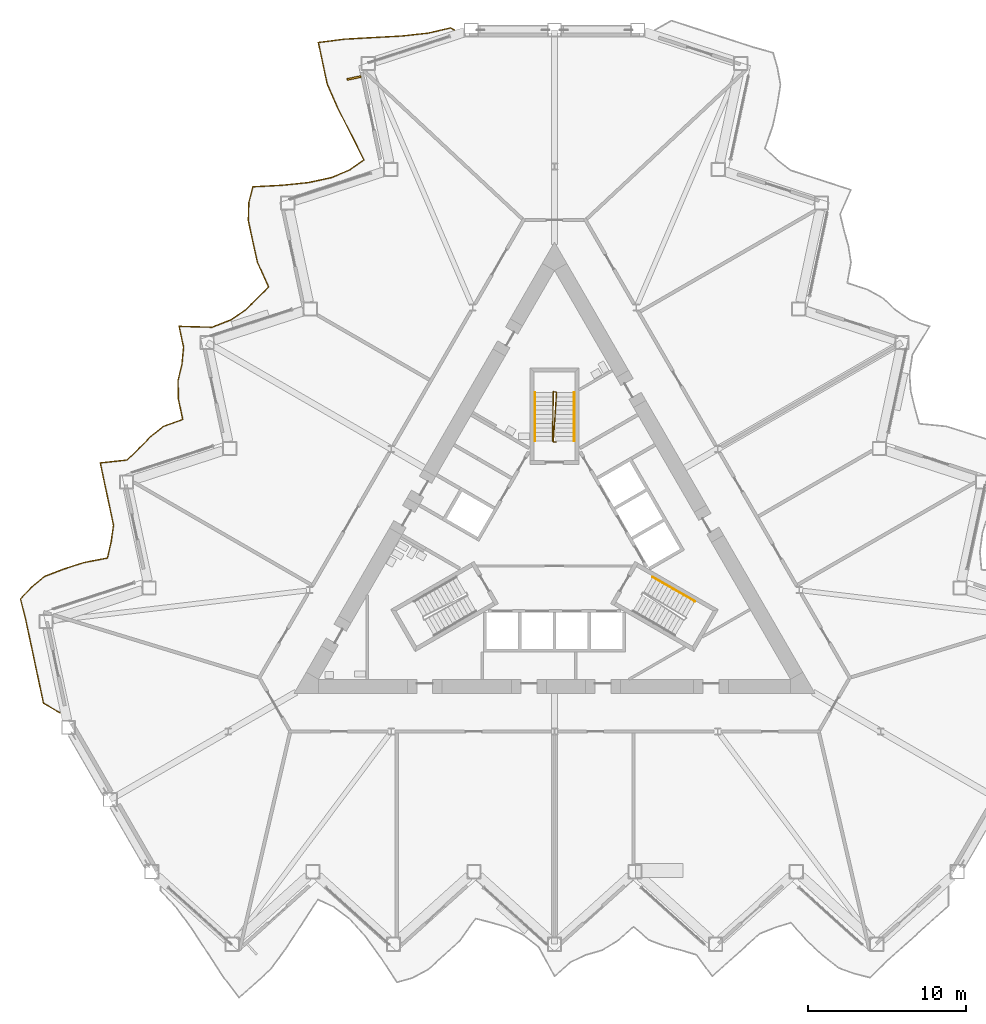
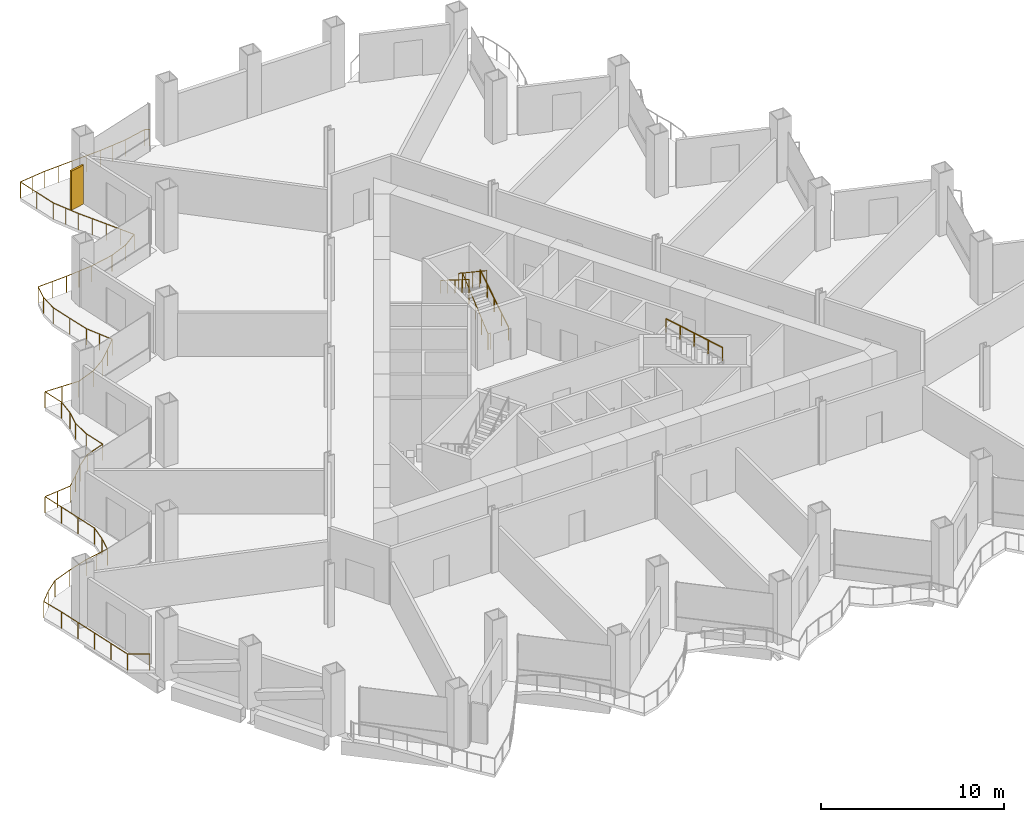
# One storey, part 18 of 21: 5 railings, 1 shading device.
"""IFC4 building model written with IfcOpenShell, lengths in metres."""

from ifc_helpers import new_model, si_unit, direction, frame, origin, origin_2d, place, context, subcontext, project, spatial, rectangle, circle, extrude, material, layer, layer_set, type_object, element, save


model = new_model("IFC4")

# Units and contexts
model_context = context("Model", 3, precision=1e-05, world=origin(), true_north=direction((0.0, 1.0)))
body_context = subcontext(model_context, "Body", "Model", "MODEL_VIEW")
ifc_project = project(units=[si_unit("LENGTHUNIT", "METRE"), si_unit("AREAUNIT", "SQUARE_METRE"), si_unit("VOLUMEUNIT", "CUBIC_METRE"), si_unit("PLANEANGLEUNIT", "RADIAN"), si_unit("MASSUNIT", "GRAM", prefix="KILO")], contexts=[model_context])

# Site, building, storey
site_placement = place(None, origin())
site = spatial("IfcSite", under=ifc_project, at=site_placement, CompositionType="ELEMENT")
building_placement = place(site_placement, origin())
building = spatial("IfcBuilding", under=site, at=building_placement, Name="Cormorant Prow Tower", CompositionType="ELEMENT")
storey_placement = place(building_placement, frame((0.0, 0.0, 99.60009765625)))
storey = spatial("IfcBuildingStorey", under=building, at=storey_placement, Name="L20", CompositionType="ELEMENT", Elevation=99.60009765625)

# Railings
ifc_material_1 = material(Name="Aluminium 6063-T6", Category="aluminium")
railing_type_1 = type_object("IfcRailingType", Name="Balcony guard 1100", PredefinedType="GUARDRAIL", material=ifc_material_1)
railing_1_placement = place(storey_placement, frame((-6.34130859375, 32.486328125, 0.0)))
element("IfcRailing", 1, at=railing_1_placement, inside=storey, type_object=railing_type_1, Name="Balcony guard WNW", PredefinedType="GUARDRAIL", context=body_context, shape_type="SweptSolid", body=[
    extrude(circle(Radius=0.02392578125, at=origin_2d()), frame((0.0, 0.0, 1.076171875), z_axis=(-0.866065156741, 0.499931139538, 0.0), x_axis=(-0.499931139538, -0.866065156741, 0.0)), (0.0, 0.0, 1.0), 0.27001953125),
    extrude(circle(Radius=0.02392578125, at=origin_2d()), frame((-0.23388671875, 0.135009765625, 1.076171875), z_axis=(-0.974208031285, -0.225651748895, 0.0), x_axis=(0.225651748895, -0.974208031285, 0.0)), (0.0, 0.0, 1.0), 1.462890625),
    extrude(circle(Radius=0.02392578125, at=origin_2d()), frame((-1.658935546875, -0.195068359375, 1.076171875), z_axis=(-0.994093392197, -0.108528003713, 0.0), x_axis=(0.108528003713, -0.994093392197, 0.0)), (0.0, 0.0, 1.0), 1.689453125),
    extrude(circle(Radius=0.02392578125, at=origin_2d()), frame((-3.33837890625, -0.37841796875, 1.076171875), z_axis=(-0.998513329159, -0.054508086473, 0.0), x_axis=(0.054508086473, -0.998513329159, 0.0)), (0.0, 0.0, 1.0), 1.827392578125),
    extrude(circle(Radius=0.02392578125, at=origin_2d()), frame((-5.1630859375, -0.47802734375, 1.076171875), z_axis=(-0.998448800774, -0.055677573877, 0.0), x_axis=(0.055677573877, -0.998448800774, 0.0)), (0.0, 0.0, 1.0), 1.82421875),
    extrude(circle(Radius=0.02392578125, at=origin_2d()), frame((-6.984375, -0.57958984375, 1.076171875), z_axis=(-0.991701104637, -0.128564843805, 0.0), x_axis=(0.128564843805, -0.991701104637, 0.0)), (0.0, 0.0, 1.0), 1.64453125),
    extrude(circle(Radius=0.02392578125, at=origin_2d()), frame((-8.615234375, -0.791015625, 1.076171875), z_axis=(0.208052164707, -0.978117731544, 0.0), x_axis=(0.978117731544, 0.208052164707, 0.0)), (0.0, 0.0, 1.0), 1.343505859375),
    extrude(circle(Radius=0.02392578125, at=origin_2d()), frame((-8.335693359375, -2.105224609375, 1.076171875), z_axis=(0.207841372786, -0.978162544651, 0.0), x_axis=(0.978162544651, 0.207841372786, 0.0)), (0.0, 0.0, 1.0), 1.34375),
    extrude(circle(Radius=0.02392578125, at=origin_2d()), frame((-8.056396484375, -3.419677734375, 1.076171875), z_axis=(0.402078851304, -0.915605044402, 0.0), x_axis=(0.915605044402, 0.402078851304, 0.0)), (0.0, 0.0, 1.0), 1.686767578125),
    extrude(circle(Radius=0.02392578125, at=origin_2d()), frame((-7.378173828125, -4.964111328125, 1.076171875), z_axis=(0.453072437858, -0.891473704634, 0.0), x_axis=(0.891473704634, 0.453072437858, 0.0)), (0.0, 0.0, 1.0), 1.83056640625),
    extrude(circle(Radius=0.02392578125, at=origin_2d()), frame((-6.548828125, -6.595947265625, 1.076171875), z_axis=(0.449733437258, -0.893162826931, 0.0), x_axis=(0.893162826931, 0.449733437258, 0.0)), (0.0, 0.0, 1.0), 1.8203125),
    extrude(circle(Radius=0.02392578125, at=origin_2d()), frame((-5.730224609375, -8.2216796875, 1.076171875), z_axis=(-0.815561274573, -0.57867072452, 0.0), x_axis=(0.57867072452, -0.815561274573, 0.0)), (0.0, 0.0, 1.0), 1.0986328125),
    extrude(circle(Radius=0.02392578125, at=origin_2d()), frame((-6.626220703125, -8.857421875, 1.076171875), z_axis=(-0.922344268142, -0.386369060648, 0.0), x_axis=(0.386369060648, -0.922344268142, 0.0)), (0.0, 0.0, 1.0), 1.2548828125),
    extrude(circle(Radius=0.02392578125, at=origin_2d()), frame((-7.78369140625, -9.34228515625, 1.076171875), z_axis=(-0.977257889972, -0.212054277219, 0.0), x_axis=(0.212054277219, -0.977257889972, 0.0)), (0.0, 0.0, 1.0), 1.485107421875),
    extrude(circle(Radius=0.02392578125, at=origin_2d()), frame((-9.235107421875, -9.6572265625, 1.076171875), z_axis=(-0.994890284036, -0.100961986565, 0.0), x_axis=(0.100961986565, -0.994890284036, 0.0)), (0.0, 0.0, 1.0), 1.707275390625),
    extrude(circle(Radius=0.02392578125, at=origin_2d()), frame((-10.93359375, -9.82958984375, 1.076171875), z_axis=(-0.998629576074, -0.052335167809, 0.0), x_axis=(0.052335167809, -0.998629576074, 0.0)), (0.0, 0.0, 1.0), 1.833251953125),
    extrude(circle(Radius=0.02392578125, at=origin_2d()), frame((-12.764404296875, -9.925537109375, 1.076171875), z_axis=(-0.246410019417, -0.969165673314, 0.0), x_axis=(0.969165673314, -0.246410019417, 0.0)), (0.0, 0.0, 1.0), 1.037353515625),
    extrude(circle(Radius=0.02392578125, at=origin_2d()), frame((-13.02001953125, -10.930908203125, 1.076171875), z_axis=(-0.025561048195, -0.999673263029, 0.0), x_axis=(0.999673263029, -0.025561048195, 0.0)), (0.0, 0.0, 1.0), 1.13671875),
    extrude(circle(Radius=0.02392578125, at=origin_2d()), frame((-13.049072265625, -12.067138671875, 1.076171875), z_axis=(0.207878315131, -0.97815469436, 0.0), x_axis=(0.97815469436, 0.207878315131, 0.0)), (0.0, 0.0, 1.0), 1.343505859375),
    extrude(circle(Radius=0.02392578125, at=origin_2d()), frame((-12.769775390625, -13.38134765625, 1.076171875), z_axis=(0.217978561128, -0.975953557752, 0.0), x_axis=(0.975953557752, 0.217978561128, 0.0)), (0.0, 0.0, 1.0), 1.3564453125),
    extrude(circle(Radius=0.02392578125, at=origin_2d()), frame((-12.47412109375, -14.705078125, 1.076171875), z_axis=(0.413256064466, -0.910614861059, 0.0), x_axis=(0.910614861059, 0.413256064466, 0.0)), (0.0, 0.0, 1.0), 1.715576171875),
    extrude(circle(Radius=0.02392578125, at=origin_2d()), frame((-11.76513671875, -16.267333984375, 1.076171875), z_axis=(-0.700447621044, -0.713703811236, 0.0), x_axis=(0.713703811236, -0.700447621044, 0.0)), (0.0, 0.0, 1.0), 1.03125),
    extrude(circle(Radius=0.02392578125, at=origin_2d()), frame((-12.487548828125, -17.00341796875, 1.076171875), z_axis=(-0.719336669645, -0.694661612372, 0.0), x_axis=(0.694661612372, -0.719336669645, 0.0)), (0.0, 0.0, 1.0), 1.038818359375),
    extrude(circle(Radius=0.02392578125, at=origin_2d()), frame((-13.23486328125, -17.72509765625, 1.076171875), z_axis=(-0.826865061735, -0.562400364227, 0.0), x_axis=(0.562400364227, -0.826865061735, 0.0)), (0.0, 0.0, 1.0), 1.108642578125),
    extrude(circle(Radius=0.02392578125, at=origin_2d()), frame((-14.151611328125, -18.3486328125, 1.076171875), z_axis=(-0.92968769206, -0.368348741319, 0.0), x_axis=(0.368348741319, -0.92968769206, 0.0)), (0.0, 0.0, 1.0), 1.27392578125),
    extrude(circle(Radius=0.02392578125, at=origin_2d()), frame((-15.3359375, -18.81787109375, 1.076171875), z_axis=(-0.999634884856, 0.027020306803, 0.0), x_axis=(-0.027020306803, -0.999634884856, 0.0)), (0.0, 0.0, 1.0), 2.09619140625),
    extrude(circle(Radius=0.02392578125, at=origin_2d()), frame((-17.431396484375, -18.76123046875, 1.076171875), z_axis=(0.207878315131, -0.97815469436, 0.0), x_axis=(0.97815469436, 0.207878315131, 0.0)), (0.0, 0.0, 1.0), 1.343505859375),
    extrude(circle(Radius=0.02392578125, at=origin_2d()), frame((-17.152099609375, -20.075439453125, 1.076171875), z_axis=(-0.089635498622, -0.995974636919, 0.0), x_axis=(0.995974636919, -0.089635498622, 0.0)), (0.0, 0.0, 1.0), 1.100341796875),
    extrude(circle(Radius=0.02392578125, at=origin_2d()), frame((-17.250732421875, -21.17138671875, 1.076171875), z_axis=(-0.23678870111, -0.971561172046, 0.0), x_axis=(0.971561172046, -0.23678870111, 0.0)), (0.0, 0.0, 1.0), 1.040283203125),
    extrude(circle(Radius=0.02392578125, at=origin_2d()), frame((-17.4970703125, -22.18212890625, 1.076171875), z_axis=(0.011984000586, -0.999928189287, 0.0), x_axis=(0.999928189287, 0.011984000586, 0.0)), (0.0, 0.0, 1.0), 1.1611328125),
    extrude(circle(Radius=0.02392578125, at=origin_2d()), frame((-17.483154296875, -23.34326171875, 1.076171875), z_axis=(0.208015194261, -0.978125594674, 0.0), x_axis=(0.978125594674, 0.208015194261, 0.0)), (0.0, 0.0, 1.0), 1.34375),
    extrude(circle(Radius=0.02392578125, at=origin_2d()), frame((-17.20361328125, -24.65771484375, 1.076171875), z_axis=(-0.941072859888, -0.338203891733, 0.0), x_axis=(0.338203891733, -0.941072859888, 0.0)), (0.0, 0.0, 1.0), 1.30810546875),
    extrude(circle(Radius=0.02392578125, at=origin_2d()), frame((-18.4345703125, -25.10009765625, 1.076171875), z_axis=(-0.777090675127, -0.629388657851, 0.0), x_axis=(0.629388657851, -0.777090675127, 0.0)), (0.0, 0.0, 1.0), 1.0693359375),
    extrude(circle(Radius=0.02392578125, at=origin_2d()), frame((-19.265625, -25.773193359375, 1.076171875), z_axis=(-0.69708177797, -0.71699162814, 0.0), x_axis=(0.71699162814, -0.69708177797, 0.0)), (0.0, 0.0, 1.0), 1.030029296875),
    extrude(circle(Radius=0.02392578125, at=origin_2d()), frame((-19.983642578125, -26.51171875, 1.076171875), z_axis=(-0.72674021298, -0.686912412785, 0.0), x_axis=(0.686912412785, -0.72674021298, 0.0)), (0.0, 0.0, 1.0), 1.0419921875),
    extrude(circle(Radius=0.02392578125, at=origin_2d()), frame((-20.740966796875, -27.2275390625, 1.076171875), z_axis=(-0.994257752133, -0.107011785913, 0.0), x_axis=(0.107011785913, -0.994257752133, 0.0)), (0.0, 0.0, 1.0), 1.69287109375),
    extrude(circle(Radius=0.02392578125, at=origin_2d()), frame((-22.424072265625, -27.40869140625, 1.076171875), z_axis=(0.207841372786, -0.978162544651, 0.0), x_axis=(0.978162544651, 0.207841372786, 0.0)), (0.0, 0.0, 1.0), 1.34375),
    extrude(circle(Radius=0.02392578125, at=origin_2d()), frame((-22.144775390625, -28.72314453125, 1.076171875), z_axis=(0.207878315131, -0.97815469436, 0.0), x_axis=(0.97815469436, 0.207878315131, 0.0)), (0.0, 0.0, 1.0), 1.343505859375),
    extrude(circle(Radius=0.02392578125, at=origin_2d()), frame((-21.865478515625, -30.037353515625, 1.076171875), z_axis=(0.208052164707, -0.978117731544, 0.0), x_axis=(0.978117731544, 0.208052164707, 0.0)), (0.0, 0.0, 1.0), 1.343505859375),
    extrude(circle(Radius=0.02392578125, at=origin_2d()), frame((-21.5859375, -31.3515625, 1.076171875), z_axis=(-0.140373577636, -0.990098610595, 0.0), x_axis=(0.990098610595, -0.140373577636, 0.0)), (0.0, 0.0, 1.0), 1.07666015625),
    extrude(circle(Radius=0.02392578125, at=origin_2d()), frame((-21.737060546875, -32.41748046875, 1.076171875), z_axis=(-0.225713549711, -0.974193714554, 0.0), x_axis=(0.974193714554, -0.225713549711, 0.0)), (0.0, 0.0, 1.0), 1.043701171875),
    extrude(circle(Radius=0.02392578125, at=origin_2d()), frame((-21.97265625, -33.434326171875, 1.076171875), z_axis=(-0.982327382029, -0.18717081641, 0.0), x_axis=(0.18717081641, -0.982327382029, 0.0)), (0.0, 0.0, 1.0), 1.52880859375),
    extrude(circle(Radius=0.02392578125, at=origin_2d()), frame((-23.474365234375, -33.720458984375, 1.076171875), z_axis=(-0.951036739297, -0.309077855091, 0.0), x_axis=(0.309077855091, -0.951036739297, 0.0)), (0.0, 0.0, 1.0), 1.343505859375),
    extrude(circle(Radius=0.02392578125, at=origin_2d()), frame((-24.752197265625, -34.1357421875, 1.076171875), z_axis=(-0.933237727243, -0.359259438916, 0.0), x_axis=(0.359259438916, -0.933237727243, 0.0)), (0.0, 0.0, 1.0), 1.28369140625),
    extrude(circle(Radius=0.02392578125, at=origin_2d()), frame((-25.9501953125, -34.596923828125, 1.076171875), z_axis=(-0.766505200565, -0.642238100323, 0.0), x_axis=(0.642238100323, -0.766505200565, 0.0)), (0.0, 0.0, 1.0), 1.06298828125),
    extrude(circle(Radius=0.02392578125, at=origin_2d()), frame((-26.764892578125, -35.279541015625, 1.076171875), z_axis=(-0.694784986374, -0.719217507233, 0.0), x_axis=(0.719217507233, -0.694784986374, 0.0)), (0.0, 0.0, 1.0), 1.029296875),
    extrude(circle(Radius=0.02392578125, at=origin_2d()), frame((-27.47998046875, -36.019775390625, 1.076171875), z_axis=(0.245790720353, -0.969322919253, 0.0), x_axis=(0.969322919253, 0.245790720353, 0.0)), (0.0, 0.0, 1.0), 1.3935546875),
    extrude(circle(Radius=0.02392578125, at=origin_2d()), frame((-27.137451171875, -37.37060546875, 1.076171875), z_axis=(0.208052164707, -0.978117731544, 0.0), x_axis=(0.978117731544, 0.208052164707, 0.0)), (0.0, 0.0, 1.0), 1.343505859375),
    extrude(circle(Radius=0.02392578125, at=origin_2d()), frame((-26.85791015625, -38.684814453125, 1.076171875), z_axis=(0.207841372786, -0.978162544651, 0.0), x_axis=(0.978162544651, 0.207841372786, 0.0)), (0.0, 0.0, 1.0), 1.34375),
    extrude(circle(Radius=0.02392578125, at=origin_2d()), frame((-26.57861328125, -39.999267578125, 1.076171875), z_axis=(0.207878315131, -0.97815469436, 0.0), x_axis=(0.97815469436, 0.207878315131, 0.0)), (0.0, 0.0, 1.0), 1.343505859375),
    extrude(circle(Radius=0.02392578125, at=origin_2d()), frame((-26.29931640625, -41.3134765625, 1.076171875), z_axis=(0.207841372786, -0.978162544651, 0.0), x_axis=(0.978162544651, 0.207841372786, 0.0)), (0.0, 0.0, 1.0), 1.34375),
    extrude(circle(Radius=0.02392578125, at=origin_2d()), frame((-26.02001953125, -42.6279296875, 1.076171875), z_axis=(0.866092288191, -0.499884134912, 0.0), x_axis=(0.499884134912, 0.866092288191, 0.0)), (0.0, 0.0, 1.0), 1.219970703125),
    extrude(circle(Radius=0.02099609375, at=origin_2d()), origin(), (0.0, 0.0, 1.0), 1.052001953125),
    extrude(circle(Radius=0.02099609375, at=origin_2d()), frame((-0.23388671875, 0.135009765625, 0.0)), (0.0, 0.0, 1.0), 1.052001953125),
    extrude(circle(Radius=0.02099609375, at=origin_2d()), frame((-1.658935546875, -0.195068359375, 0.0)), (0.0, 0.0, 1.0), 1.052001953125),
    extrude(circle(Radius=0.02099609375, at=origin_2d()), frame((-2.49853515625, -0.28662109375, 0.0)), (0.0, 0.0, 1.0), 1.052001953125),
    extrude(circle(Radius=0.02099609375, at=origin_2d()), frame((-3.33837890625, -0.37841796875, 0.0)), (0.0, 0.0, 1.0), 1.052001953125),
    extrude(circle(Radius=0.02099609375, at=origin_2d()), frame((-4.250732421875, -0.42822265625, 0.0)), (0.0, 0.0, 1.0), 1.052001953125),
    extrude(circle(Radius=0.02099609375, at=origin_2d()), frame((-5.1630859375, -0.47802734375, 0.0)), (0.0, 0.0, 1.0), 1.052001953125),
    extrude(circle(Radius=0.02099609375, at=origin_2d()), frame((-6.07373046875, -0.52880859375, 0.0)), (0.0, 0.0, 1.0), 1.052001953125),
    extrude(circle(Radius=0.02099609375, at=origin_2d()), frame((-6.984375, -0.57958984375, 0.0)), (0.0, 0.0, 1.0), 1.052001953125),
    extrude(circle(Radius=0.02099609375, at=origin_2d()), frame((-7.7998046875, -0.685302734375, 0.0)), (0.0, 0.0, 1.0), 1.052001953125),
    extrude(circle(Radius=0.02099609375, at=origin_2d()), frame((-8.615234375, -0.791015625, 0.0)), (0.0, 0.0, 1.0), 1.052001953125),
    extrude(circle(Radius=0.02099609375, at=origin_2d()), frame((-8.335693359375, -2.105224609375, 0.0)), (0.0, 0.0, 1.0), 1.052001953125),
    extrude(circle(Radius=0.02099609375, at=origin_2d()), frame((-8.056396484375, -3.419677734375, 0.0)), (0.0, 0.0, 1.0), 1.052001953125),
    extrude(circle(Radius=0.02099609375, at=origin_2d()), frame((-7.71728515625, -4.19189453125, 0.0)), (0.0, 0.0, 1.0), 1.052001953125),
    extrude(circle(Radius=0.02099609375, at=origin_2d()), frame((-7.378173828125, -4.964111328125, 0.0)), (0.0, 0.0, 1.0), 1.052001953125),
    extrude(circle(Radius=0.02099609375, at=origin_2d()), frame((-6.96337890625, -5.780029296875, 0.0)), (0.0, 0.0, 1.0), 1.052001953125),
    extrude(circle(Radius=0.02099609375, at=origin_2d()), frame((-6.548828125, -6.595947265625, 0.0)), (0.0, 0.0, 1.0), 1.052001953125),
    extrude(circle(Radius=0.02099609375, at=origin_2d()), frame((-6.1396484375, -7.40869140625, 0.0)), (0.0, 0.0, 1.0), 1.052001953125),
    extrude(circle(Radius=0.02099609375, at=origin_2d()), frame((-5.730224609375, -8.2216796875, 0.0)), (0.0, 0.0, 1.0), 1.052001953125),
    extrude(circle(Radius=0.02099609375, at=origin_2d()), frame((-6.626220703125, -8.857421875, 0.0)), (0.0, 0.0, 1.0), 1.052001953125),
    extrude(circle(Radius=0.02099609375, at=origin_2d()), frame((-7.78369140625, -9.34228515625, 0.0)), (0.0, 0.0, 1.0), 1.052001953125),
    extrude(circle(Radius=0.02099609375, at=origin_2d()), frame((-9.235107421875, -9.6572265625, 0.0)), (0.0, 0.0, 1.0), 1.052001953125),
    extrude(circle(Radius=0.02099609375, at=origin_2d()), frame((-10.08447265625, -9.743408203125, 0.0)), (0.0, 0.0, 1.0), 1.052001953125),
    extrude(circle(Radius=0.02099609375, at=origin_2d()), frame((-10.93359375, -9.82958984375, 0.0)), (0.0, 0.0, 1.0), 1.052001953125),
    extrude(circle(Radius=0.02099609375, at=origin_2d()), frame((-11.84912109375, -9.87744140625, 0.0)), (0.0, 0.0, 1.0), 1.052001953125),
    extrude(circle(Radius=0.02099609375, at=origin_2d()), frame((-12.764404296875, -9.925537109375, 0.0)), (0.0, 0.0, 1.0), 1.052001953125),
    extrude(circle(Radius=0.02099609375, at=origin_2d()), frame((-13.02001953125, -10.930908203125, 0.0)), (0.0, 0.0, 1.0), 1.052001953125),
    extrude(circle(Radius=0.02099609375, at=origin_2d()), frame((-13.049072265625, -12.067138671875, 0.0)), (0.0, 0.0, 1.0), 1.052001953125),
    extrude(circle(Radius=0.02099609375, at=origin_2d()), frame((-12.769775390625, -13.38134765625, 0.0)), (0.0, 0.0, 1.0), 1.052001953125),
    extrude(circle(Radius=0.02099609375, at=origin_2d()), frame((-12.47412109375, -14.705078125, 0.0)), (0.0, 0.0, 1.0), 1.052001953125),
    extrude(circle(Radius=0.02099609375, at=origin_2d()), frame((-12.11962890625, -15.486328125, 0.0)), (0.0, 0.0, 1.0), 1.052001953125),
    extrude(circle(Radius=0.02099609375, at=origin_2d()), frame((-11.76513671875, -16.267333984375, 0.0)), (0.0, 0.0, 1.0), 1.052001953125),
    extrude(circle(Radius=0.02099609375, at=origin_2d()), frame((-12.487548828125, -17.00341796875, 0.0)), (0.0, 0.0, 1.0), 1.052001953125),
    extrude(circle(Radius=0.02099609375, at=origin_2d()), frame((-13.23486328125, -17.72509765625, 0.0)), (0.0, 0.0, 1.0), 1.052001953125),
    extrude(circle(Radius=0.02099609375, at=origin_2d()), frame((-14.151611328125, -18.3486328125, 0.0)), (0.0, 0.0, 1.0), 1.052001953125),
    extrude(circle(Radius=0.02099609375, at=origin_2d()), frame((-15.3359375, -18.81787109375, 0.0)), (0.0, 0.0, 1.0), 1.052001953125),
    extrude(circle(Radius=0.02099609375, at=origin_2d()), frame((-16.3837890625, -18.78955078125, 0.0)), (0.0, 0.0, 1.0), 1.052001953125),
    extrude(circle(Radius=0.02099609375, at=origin_2d()), frame((-17.431396484375, -18.76123046875, 0.0)), (0.0, 0.0, 1.0), 1.052001953125),
    extrude(circle(Radius=0.02099609375, at=origin_2d()), frame((-17.152099609375, -20.075439453125, 0.0)), (0.0, 0.0, 1.0), 1.052001953125),
    extrude(circle(Radius=0.02099609375, at=origin_2d()), frame((-17.250732421875, -21.17138671875, 0.0)), (0.0, 0.0, 1.0), 1.052001953125),
    extrude(circle(Radius=0.02099609375, at=origin_2d()), frame((-17.4970703125, -22.18212890625, 0.0)), (0.0, 0.0, 1.0), 1.052001953125),
    extrude(circle(Radius=0.02099609375, at=origin_2d()), frame((-17.483154296875, -23.34326171875, 0.0)), (0.0, 0.0, 1.0), 1.052001953125),
    extrude(circle(Radius=0.02099609375, at=origin_2d()), frame((-17.20361328125, -24.65771484375, 0.0)), (0.0, 0.0, 1.0), 1.052001953125),
    extrude(circle(Radius=0.02099609375, at=origin_2d()), frame((-18.4345703125, -25.10009765625, 0.0)), (0.0, 0.0, 1.0), 1.052001953125),
    extrude(circle(Radius=0.02099609375, at=origin_2d()), frame((-19.265625, -25.773193359375, 0.0)), (0.0, 0.0, 1.0), 1.052001953125),
    extrude(circle(Radius=0.02099609375, at=origin_2d()), frame((-19.983642578125, -26.51171875, 0.0)), (0.0, 0.0, 1.0), 1.052001953125),
    extrude(circle(Radius=0.02099609375, at=origin_2d()), frame((-20.740966796875, -27.2275390625, 0.0)), (0.0, 0.0, 1.0), 1.052001953125),
    extrude(circle(Radius=0.02099609375, at=origin_2d()), frame((-21.58251953125, -27.318115234375, 0.0)), (0.0, 0.0, 1.0), 1.052001953125),
    extrude(circle(Radius=0.02099609375, at=origin_2d()), frame((-22.424072265625, -27.40869140625, 0.0)), (0.0, 0.0, 1.0), 1.052001953125),
    extrude(circle(Radius=0.02099609375, at=origin_2d()), frame((-22.144775390625, -28.72314453125, 0.0)), (0.0, 0.0, 1.0), 1.052001953125),
    extrude(circle(Radius=0.02099609375, at=origin_2d()), frame((-21.865478515625, -30.037353515625, 0.0)), (0.0, 0.0, 1.0), 1.052001953125),
    extrude(circle(Radius=0.02099609375, at=origin_2d()), frame((-21.5859375, -31.3515625, 0.0)), (0.0, 0.0, 1.0), 1.052001953125),
    extrude(circle(Radius=0.02099609375, at=origin_2d()), frame((-21.737060546875, -32.41748046875, 0.0)), (0.0, 0.0, 1.0), 1.052001953125),
    extrude(circle(Radius=0.02099609375, at=origin_2d()), frame((-21.97265625, -33.434326171875, 0.0)), (0.0, 0.0, 1.0), 1.052001953125),
    extrude(circle(Radius=0.02099609375, at=origin_2d()), frame((-22.7236328125, -33.577392578125, 0.0)), (0.0, 0.0, 1.0), 1.052001953125),
    extrude(circle(Radius=0.02099609375, at=origin_2d()), frame((-23.474365234375, -33.720458984375, 0.0)), (0.0, 0.0, 1.0), 1.052001953125),
    extrude(circle(Radius=0.02099609375, at=origin_2d()), frame((-24.752197265625, -34.1357421875, 0.0)), (0.0, 0.0, 1.0), 1.052001953125),
    extrude(circle(Radius=0.02099609375, at=origin_2d()), frame((-25.9501953125, -34.596923828125, 0.0)), (0.0, 0.0, 1.0), 1.052001953125),
    extrude(circle(Radius=0.02099609375, at=origin_2d()), frame((-26.764892578125, -35.279541015625, 0.0)), (0.0, 0.0, 1.0), 1.052001953125),
    extrude(circle(Radius=0.02099609375, at=origin_2d()), frame((-27.47998046875, -36.019775390625, 0.0)), (0.0, 0.0, 1.0), 1.052001953125),
    extrude(circle(Radius=0.02099609375, at=origin_2d()), frame((-27.137451171875, -37.37060546875, 0.0)), (0.0, 0.0, 1.0), 1.052001953125),
    extrude(circle(Radius=0.02099609375, at=origin_2d()), frame((-26.85791015625, -38.684814453125, 0.0)), (0.0, 0.0, 1.0), 1.052001953125),
    extrude(circle(Radius=0.02099609375, at=origin_2d()), frame((-26.57861328125, -39.999267578125, 0.0)), (0.0, 0.0, 1.0), 1.052001953125),
    extrude(circle(Radius=0.02099609375, at=origin_2d()), frame((-26.29931640625, -41.3134765625, 0.0)), (0.0, 0.0, 1.0), 1.052001953125),
    extrude(circle(Radius=0.02099609375, at=origin_2d()), frame((-26.02001953125, -42.6279296875, 0.0)), (0.0, 0.0, 1.0), 1.052001953125),
    extrude(circle(Radius=0.02099609375, at=origin_2d()), frame((-24.96337890625, -43.23779296875, 0.0)), (0.0, 0.0, 1.0), 1.052001953125),
])
ifc_material_2 = material(Name="Stainless steel", Category="steel")
railing_type_2 = type_object("IfcRailingType", Name="Stair guard 1100", PredefinedType="GUARDRAIL", material=ifc_material_2)
railing_2_placement = place(storey_placement, frame((0.074951171875, 6.40576171875, 0.0)))
element("IfcRailing", 2, at=railing_2_placement, inside=storey, type_object=railing_type_2, Name="L20 ST3 stair guard 1", PredefinedType="GUARDRAIL", context=body_context, shape_type="SweptSolid", body=[
    extrude(circle(Radius=0.02392578125, at=origin_2d()), frame((0.0, 0.0, 1.076171875), z_axis=(-1.0, 0.0, 0.0), x_axis=(0.0, -1.0, 0.0)), (0.0, 0.0, 1.0), 0.14990234375),
    extrude(circle(Radius=0.02392578125, at=origin_2d()), frame((-0.14990234375, 0.0, 1.076171875), z_axis=(0.052973824345, 0.829276437025, 0.556322177276), x_axis=(-0.997965923181, 0.063749636618, 0.0)), (0.0, 0.0, 1.0), 3.7744140625),
    extrude(circle(Radius=0.02392578125, at=origin_2d()), frame((0.050048828125, 3.130126953125, 3.17578125), z_axis=(-0.970072785993, 0.242814311512, 0.0), x_axis=(-0.242814311512, -0.970072785993, 0.0)), (0.0, 0.0, 1.0), 0.2060546875),
    extrude(circle(Radius=0.02392578125, at=origin_2d()), frame((-0.14990234375, 3.18017578125, 3.17578125), z_axis=(-0.013276620939, -0.830339302729, 0.557099967403), x_axis=(0.999872194171, -0.015987348866, 0.0)), (0.0, 0.0, 1.0), 3.769775390625),
    extrude(circle(Radius=0.02099609375, at=origin_2d()), origin(), (0.0, 0.0, 1.0), 1.052001953125),
    extrude(circle(Radius=0.02099609375, at=origin_2d()), frame((-0.14990234375, 0.0, 0.0)), (0.0, 0.0, 1.0), 1.052001953125),
    extrude(circle(Radius=0.02099609375, at=origin_2d()), frame((-0.099853515625, 0.782470703125, 0.52490234375)), (0.0, 0.0, 1.0), 1.052001953125),
    extrude(circle(Radius=0.02099609375, at=origin_2d()), frame((-0.0498046875, 1.56494140625, 1.0498046875)), (0.0, 0.0, 1.0), 1.052001953125),
    extrude(circle(Radius=0.02099609375, at=origin_2d()), frame((0.0, 2.34765625, 1.574951171875)), (0.0, 0.0, 1.0), 1.052001953125),
    extrude(circle(Radius=0.02099609375, at=origin_2d()), frame((0.050048828125, 3.130126953125, 2.099853515625)), (0.0, 0.0, 1.0), 1.052001953125),
    extrude(circle(Radius=0.02099609375, at=origin_2d()), frame((-0.14990234375, 3.18017578125, 2.099853515625)), (0.0, 0.0, 1.0), 1.052001953125),
    extrude(circle(Radius=0.02099609375, at=origin_2d()), frame((-0.162353515625, 2.397705078125, 2.625)), (0.0, 0.0, 1.0), 1.052001953125),
    extrude(circle(Radius=0.02099609375, at=origin_2d()), frame((-0.1748046875, 1.615234375, 3.14990234375)), (0.0, 0.0, 1.0), 1.052001953125),
    extrude(circle(Radius=0.02099609375, at=origin_2d()), frame((-0.1875, 0.83251953125, 3.6748046875)), (0.0, 0.0, 1.0), 1.052001953125),
    extrude(circle(Radius=0.02099609375, at=origin_2d()), frame((-0.199951171875, 0.050048828125, 4.199951171875)), (0.0, 0.0, 1.0), 1.052001953125),
])
ifc_material_3 = material(Name="Stainless steel", Category="steel")
railing_type_3 = type_object("IfcRailingType", Name="Stair handrail 900", PredefinedType="HANDRAIL", material=ifc_material_3)
railing_3_placement = place(storey_placement, frame((8.88037109375, -3.690673828125, 2.27490234375)))
element("IfcRailing", 3, at=railing_3_placement, inside=storey, type_object=railing_type_3, Name="L20 ST2 stair handrail 2", PredefinedType="HANDRAIL", context=body_context, shape_type="SweptSolid", body=[
    extrude(circle(Radius=0.02392578125, at=origin_2d()), frame((0.0, 0.0, 0.8759765625), z_axis=(-0.734394994316, 0.423994474112, 0.52999309264), x_axis=(-0.499992328818, -0.866029832698, 0.0)), (0.0, 0.0, 1.0), 3.63232421875),
    extrude(circle(Radius=0.02099609375, at=origin_2d()), origin(), (0.0, 0.0, 1.0), 0.851806640625),
    extrude(circle(Radius=0.02099609375, at=origin_2d()), frame((-0.6669921875, 0.385009765625, 0.481201171875)), (0.0, 0.0, 1.0), 0.851806640625),
    extrude(circle(Radius=0.02099609375, at=origin_2d()), frame((-1.333740234375, 0.77001953125, 0.96240234375)), (0.0, 0.0, 1.0), 0.851806640625),
    extrude(circle(Radius=0.02099609375, at=origin_2d()), frame((-2.00048828125, 1.155029296875, 1.44384765625)), (0.0, 0.0, 1.0), 0.851806640625),
    extrude(circle(Radius=0.02099609375, at=origin_2d()), frame((-2.66748046875, 1.5400390625, 1.925048828125)), (0.0, 0.0, 1.0), 0.851806640625),
])
railing_4_placement = place(storey_placement, frame((1.243896484375, 6.455810546875, 0.1748046875)))
element("IfcRailing", 4, at=railing_4_placement, inside=storey, type_object=railing_type_3, Name="L20 ST3 stair handrail 1", PredefinedType="HANDRAIL", context=body_context, shape_type="SweptSolid", body=[
    extrude(circle(Radius=0.02392578125, at=origin_2d()), frame((0.0, 0.0, 0.8759765625), z_axis=(0.0, 0.847998304005, 0.529998940003), x_axis=(-1.0, 0.0, 0.0)), (0.0, 0.0, 1.0), 3.632080078125),
    extrude(circle(Radius=0.02099609375, at=origin_2d()), origin(), (0.0, 0.0, 1.0), 0.851806640625),
    extrude(circle(Radius=0.02099609375, at=origin_2d()), frame((0.0, 0.77001953125, 0.481201171875)), (0.0, 0.0, 1.0), 0.851806640625),
    extrude(circle(Radius=0.02099609375, at=origin_2d()), frame((0.0, 1.5400390625, 0.96240234375)), (0.0, 0.0, 1.0), 0.851806640625),
    extrude(circle(Radius=0.02099609375, at=origin_2d()), frame((0.0, 2.31005859375, 1.44384765625)), (0.0, 0.0, 1.0), 0.851806640625),
    extrude(circle(Radius=0.02099609375, at=origin_2d()), frame((0.0, 3.080078125, 1.925048828125)), (0.0, 0.0, 1.0), 0.851806640625),
])
railing_5_placement = place(storey_placement, frame((-1.243896484375, 9.535888671875, 2.27490234375)))
element("IfcRailing", 5, at=railing_5_placement, inside=storey, type_object=railing_type_3, Name="L20 ST3 stair handrail 2", PredefinedType="HANDRAIL", context=body_context, shape_type="SweptSolid", body=[
    extrude(circle(Radius=0.02392578125, at=origin_2d()), frame((0.0, 0.0, 0.8759765625), z_axis=(0.0, -0.847998304005, 0.529998940003), x_axis=(1.0, 0.0, 0.0)), (0.0, 0.0, 1.0), 3.632080078125),
    extrude(circle(Radius=0.02099609375, at=origin_2d()), origin(), (0.0, 0.0, 1.0), 0.851806640625),
    extrude(circle(Radius=0.02099609375, at=origin_2d()), frame((0.0, -0.77001953125, 0.481201171875)), (0.0, 0.0, 1.0), 0.851806640625),
    extrude(circle(Radius=0.02099609375, at=origin_2d()), frame((0.0, -1.5400390625, 0.96240234375)), (0.0, 0.0, 1.0), 0.851806640625),
    extrude(circle(Radius=0.02099609375, at=origin_2d()), frame((0.0, -2.31005859375, 1.44384765625)), (0.0, 0.0, 1.0), 0.851806640625),
    extrude(circle(Radius=0.02099609375, at=origin_2d()), frame((0.0, -3.080078125, 1.925048828125)), (0.0, 0.0, 1.0), 0.851806640625),
])

# Shading device
ifc_material_4 = material(Name="Terracotta", Category="masonry")
ifc_layer = layer(ifc_material_4, 0.1201171875)
ifc_layer_set = layer_set([ifc_layer], Name="Terracotta")
shading_device_type = type_object("IfcShadingDeviceType", Name="Terracotta baguette fin 120x900x2600", PredefinedType="USERDEFINED", material=ifc_layer_set)
shading_device_placement = place(storey_placement, frame((-12.697265625, 29.446044921875, -0.000244140625), z_axis=(0.0, 0.0, 1.0), x_axis=(0.207911769861, -0.978147583933, 0.0)))
element("IfcShadingDevice", 6, at=shading_device_placement, inside=storey, type_object=shading_device_type, Name="Baguette fin WNW01", ObjectType="BAGUETTE", PredefinedType="USERDEFINED", context=body_context, shape_type="SweptSolid", body=[
    extrude(rectangle(XDim=0.1201171875, YDim=0.89990234375, at=origin_2d()), origin(), (0.0, 0.0, 1.0), 2.60009765625),
])

save(model, "model.ifc")
